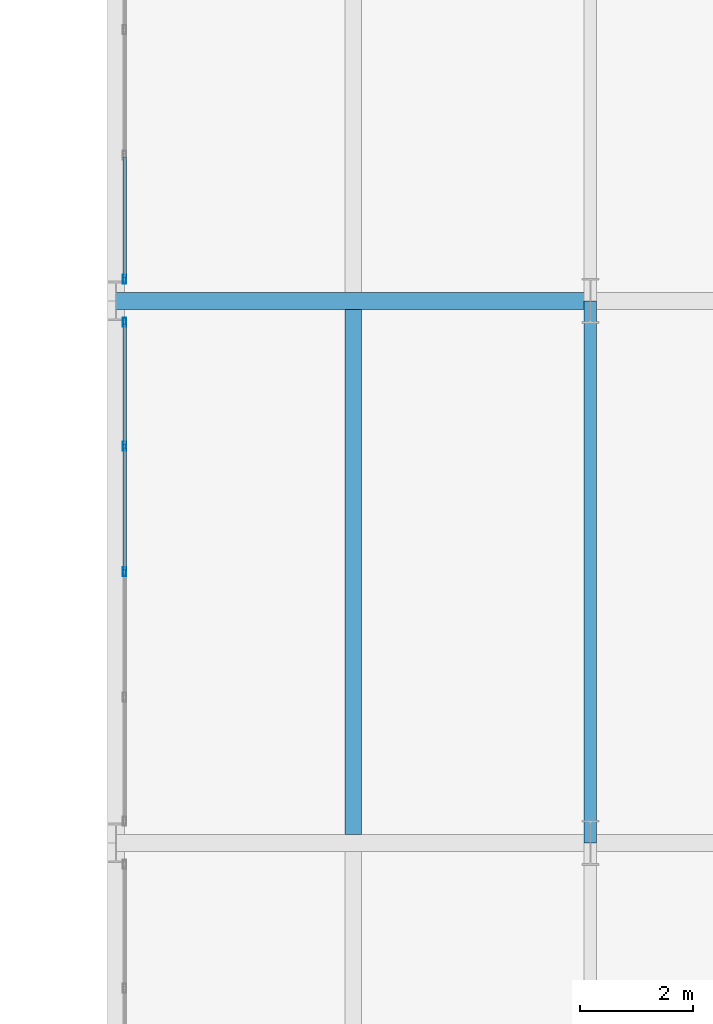
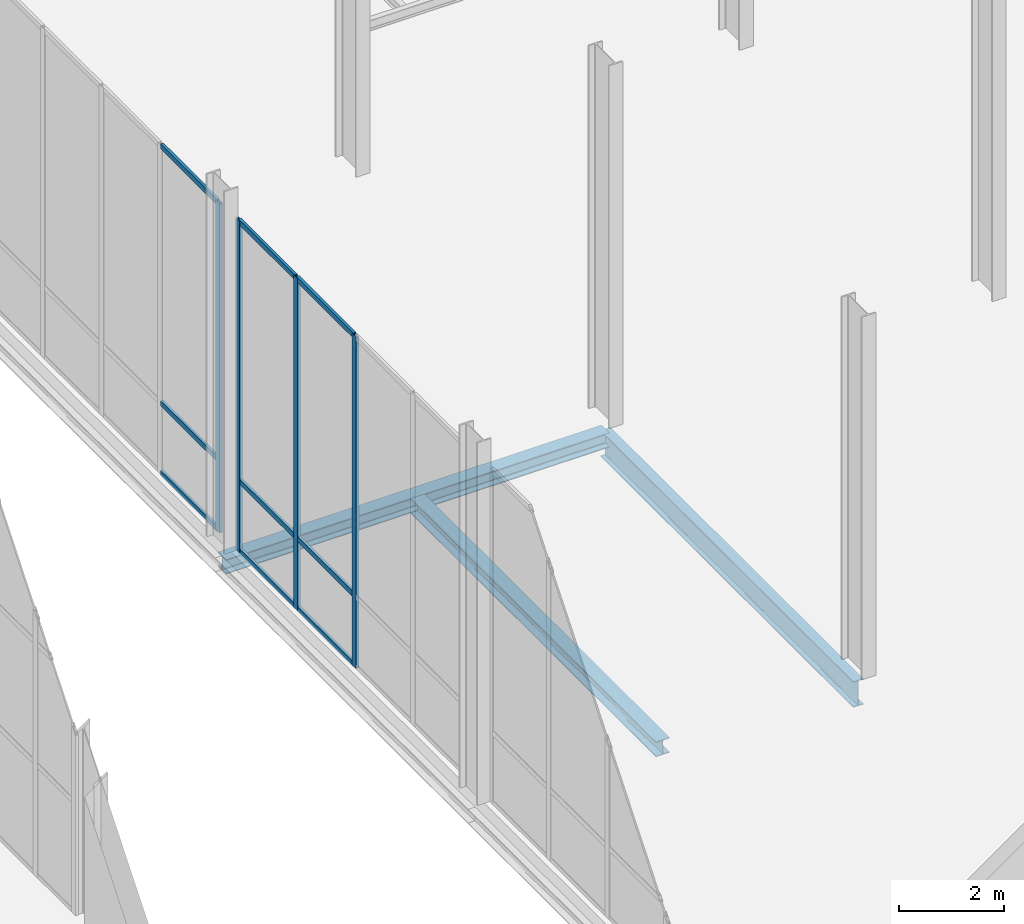
# One storey, part 60 of 131: 13 members, 3 beams, 2 elements without a shape of their own.
"""IFC4 building model written with IfcOpenShell, lengths in metres."""

from ifc_helpers import new_model, si_unit, direction, frame, origin, origin_2d, place, context, subcontext, project, spatial, hollow_rectangle, i_section, extrude, material, material_profile, profile_set, type_object, element, aggregate, save


model = new_model("IFC4")

# Units and contexts
model_context = context("Model", 3, precision=1e-05, world=origin(), true_north=direction((0.0, 1.0)))
body_context = subcontext(model_context, "Body", "Model", "MODEL_VIEW")
ifc_project = project(units=[si_unit("LENGTHUNIT", "METRE"), si_unit("AREAUNIT", "SQUARE_METRE"), si_unit("VOLUMEUNIT", "CUBIC_METRE"), si_unit("PLANEANGLEUNIT", "RADIAN"), si_unit("MASSUNIT", "GRAM", prefix="KILO")], contexts=[model_context])

# Site, building, storey
site_placement = place(None, origin())
site = spatial("IfcSite", under=ifc_project, at=site_placement, CompositionType="ELEMENT")
building_placement = place(site_placement, origin())
building = spatial("IfcBuilding", under=site, at=building_placement, Name="Veltarok Museum of Natural Sciences", CompositionType="ELEMENT")
storey_placement = place(building_placement, origin())
storey = spatial("IfcBuildingStorey", under=building, at=storey_placement, Name="L00", CompositionType="ELEMENT", Elevation=0.0)

# Curtain wall, members
ifc_material_1 = material(Name="Low-iron triple insulated glass", Category="glass")
curtain_wall_type_1 = type_object("IfcCurtainWallType", Name="Curtain Wall System CW-V2NPW-L00-2-890x768 (CW-V2NPW L00 890x768cm)", PredefinedType="NOTDEFINED", material=ifc_material_1)
curtain_wall_1_placement = place(storey_placement, origin())
curtain_wall_1 = element("IfcCurtainWall", 1, at=curtain_wall_1_placement, inside=storey, type_object=curtain_wall_type_1, Name="Curtain Wall CW-V2NPW-L00-2-890x768 CW-0214", PredefinedType="NOTDEFINED")
ifc_material_2 = material(Name="Thermally broken anodised aluminium", Category="aluminium")
ifc_material_profile_1 = material_profile(ifc_material_2, hollow_rectangle(XDim=0.06005859375, YDim=0.1201171875, WallThickness=0.0048828125, at=origin_2d()), Name="CW TRANSOM 60x120x5")
ifc_profile_set_1 = profile_set([ifc_material_profile_1], Name="Thermally broken anodised aluminium")
member_type_1 = type_object("IfcMemberType", Name="Curtain Wall Horizontal Transom 60x120x5", PredefinedType="USERDEFINED", material=ifc_profile_set_1)
member_1_placement = place(storey_placement, frame((56.949951171875, 86.429931640625, 0.028076171875), z_axis=(0.0, 1.0, 0.0), x_axis=(-1.0, 0.0, 0.0)))
member_1 = element("IfcMember", 2, at=member_1_placement, type_object=member_type_1, Name="CW-V2NPW-L00-2-890x768 transom 3.1", ObjectType="TRANSOM", PredefinedType="USERDEFINED", context=body_context, shape_type="SweptSolid", body=[
    extrude(hollow_rectangle(XDim=0.06005859375, YDim=0.1201171875, WallThickness=0.0048828125, at=origin_2d()), origin(), (0.0, 0.0, 1.0), 2.1650390625),
])
member_2_placement = place(storey_placement, frame((56.949951171875, 86.429931640625, 1.64794921875), z_axis=(0.0, 1.0, 0.0), x_axis=(-1.0, 0.0, 0.0)))
member_2 = element("IfcMember", 3, at=member_2_placement, type_object=member_type_1, Name="CW-V2NPW-L00-2-890x768 transom 3.2", ObjectType="TRANSOM", PredefinedType="USERDEFINED", context=body_context, shape_type="SweptSolid", body=[
    extrude(hollow_rectangle(XDim=0.06005859375, YDim=0.1201171875, WallThickness=0.0048828125, at=origin_2d()), origin(), (0.0, 0.0, 1.0), 2.1650390625),
])
member_3_placement = place(storey_placement, frame((56.949951171875, 86.429931640625, 7.64990234375), z_axis=(0.0, 1.0, 0.0), x_axis=(-1.0, 0.0, 0.0)))
member_3 = element("IfcMember", 4, at=member_3_placement, type_object=member_type_1, Name="CW-V2NPW-L00-2-890x768 transom 3.3", ObjectType="TRANSOM", PredefinedType="USERDEFINED", context=body_context, shape_type="SweptSolid", body=[
    extrude(hollow_rectangle(XDim=0.06005859375, YDim=0.1201171875, WallThickness=0.0048828125, at=origin_2d()), origin(), (0.0, 0.0, 1.0), 2.1650390625),
])
member_4_placement = place(storey_placement, frame((56.949951171875, 88.655029296875, 0.028076171875), z_axis=(0.0, 1.0, 0.0), x_axis=(-1.0, 0.0, 0.0)))
member_4 = element("IfcMember", 5, at=member_4_placement, type_object=member_type_1, Name="CW-V2NPW-L00-2-890x768 transom 4.1", ObjectType="TRANSOM", PredefinedType="USERDEFINED", context=body_context, shape_type="SweptSolid", body=[
    extrude(hollow_rectangle(XDim=0.06005859375, YDim=0.1201171875, WallThickness=0.0048828125, at=origin_2d()), origin(), (0.0, 0.0, 1.0), 2.135009765625),
])
member_5_placement = place(storey_placement, frame((56.949951171875, 88.655029296875, 1.64794921875), z_axis=(0.0, 1.0, 0.0), x_axis=(-1.0, 0.0, 0.0)))
member_5 = element("IfcMember", 6, at=member_5_placement, type_object=member_type_1, Name="CW-V2NPW-L00-2-890x768 transom 4.2", ObjectType="TRANSOM", PredefinedType="USERDEFINED", context=body_context, shape_type="SweptSolid", body=[
    extrude(hollow_rectangle(XDim=0.06005859375, YDim=0.1201171875, WallThickness=0.0048828125, at=origin_2d()), origin(), (0.0, 0.0, 1.0), 2.135009765625),
])
member_6_placement = place(storey_placement, frame((56.949951171875, 88.655029296875, 7.64990234375), z_axis=(0.0, 1.0, 0.0), x_axis=(-1.0, 0.0, 0.0)))
member_6 = element("IfcMember", 7, at=member_6_placement, type_object=member_type_1, Name="CW-V2NPW-L00-2-890x768 transom 4.3", ObjectType="TRANSOM", PredefinedType="USERDEFINED", context=body_context, shape_type="SweptSolid", body=[
    extrude(hollow_rectangle(XDim=0.06005859375, YDim=0.1201171875, WallThickness=0.0048828125, at=origin_2d()), origin(), (0.0, 0.0, 1.0), 2.135009765625),
])

curtain_wall_type_2 = type_object("IfcCurtainWallType", Name="Curtain Wall System CW-V2NPW-L00-3-890x763 (CW-V2NPW L00 890x763cm)", PredefinedType="NOTDEFINED", material=ifc_material_1)
curtain_wall_2_placement = place(storey_placement, origin())
curtain_wall_2 = element("IfcCurtainWall", 8, at=curtain_wall_2_placement, inside=storey, type_object=curtain_wall_type_2, Name="Curtain Wall CW-V2NPW-L00-3-890x763 CW-0215", PredefinedType="NOTDEFINED")
member_7_placement = place(storey_placement, frame((56.949951171875, 91.610107421875, 0.028076171875), z_axis=(0.0, 1.0, 0.0), x_axis=(-1.0, 0.0, 0.0)))
member_7 = element("IfcMember", 9, at=member_7_placement, type_object=member_type_1, Name="CW-V2NPW-L00-3-890x763 transom 1.1", ObjectType="TRANSOM", PredefinedType="USERDEFINED", context=body_context, shape_type="SweptSolid", body=[
    extrude(hollow_rectangle(XDim=0.06005859375, YDim=0.1201171875, WallThickness=0.0048828125, at=origin_2d()), origin(), (0.0, 0.0, 1.0), 2.135009765625),
])
member_8_placement = place(storey_placement, frame((56.949951171875, 91.610107421875, 1.64794921875), z_axis=(0.0, 1.0, 0.0), x_axis=(-1.0, 0.0, 0.0)))
member_8 = element("IfcMember", 10, at=member_8_placement, type_object=member_type_1, Name="CW-V2NPW-L00-3-890x763 transom 1.2", ObjectType="TRANSOM", PredefinedType="USERDEFINED", context=body_context, shape_type="SweptSolid", body=[
    extrude(hollow_rectangle(XDim=0.06005859375, YDim=0.1201171875, WallThickness=0.0048828125, at=origin_2d()), origin(), (0.0, 0.0, 1.0), 2.135009765625),
])
member_9_placement = place(storey_placement, frame((56.949951171875, 91.610107421875, 7.60009765625), z_axis=(0.0, 1.0, 0.0), x_axis=(-1.0, 0.0, 0.0)))
member_9 = element("IfcMember", 11, at=member_9_placement, type_object=member_type_1, Name="CW-V2NPW-L00-3-890x763 transom 1.3", ObjectType="TRANSOM", PredefinedType="USERDEFINED", context=body_context, shape_type="SweptSolid", body=[
    extrude(hollow_rectangle(XDim=0.06005859375, YDim=0.1201171875, WallThickness=0.0048828125, at=origin_2d()), origin(), (0.0, 0.0, 1.0), 2.135009765625),
])

# Member
ifc_material_profile_2 = material_profile(ifc_material_2, hollow_rectangle(XDim=0.06005859375, YDim=0.159912109375, WallThickness=0.0048828125, at=origin_2d()), Name="CW MULLION 60x160x5")
ifc_profile_set_2 = profile_set([ifc_material_profile_2], Name="Thermally broken anodised aluminium")
member_type_2 = type_object("IfcMemberType", Name="Curtain Wall Vertical Mullion 60x160x5", PredefinedType="MULLION", material=ifc_profile_set_2)
member_10_placement = place(storey_placement, frame((56.949951171875, 86.39990234375, -0.001953125), z_axis=(0.0, 0.0, 1.0), x_axis=(-1.0, 0.0, 0.0)))
member_10 = element("IfcMember", 12, at=member_10_placement, type_object=member_type_2, Name="CW-V2NPW-L00-2-890x768 mullion 3", PredefinedType="MULLION", context=body_context, shape_type="SweptSolid", body=[
    extrude(hollow_rectangle(XDim=0.06005859375, YDim=0.159912109375, WallThickness=0.0048828125, at=origin_2d()), origin(), (0.0, 0.0, 1.0), 7.681884765625),
])

member_11_placement = place(storey_placement, frame((56.949951171875, 88.625, -0.001953125), z_axis=(0.0, 0.0, 1.0), x_axis=(-1.0, 0.0, 0.0)))
member_11 = element("IfcMember", 13, at=member_11_placement, type_object=member_type_2, Name="CW-V2NPW-L00-2-890x768 mullion 4", PredefinedType="MULLION", context=body_context, shape_type="SweptSolid", body=[
    extrude(hollow_rectangle(XDim=0.06005859375, YDim=0.159912109375, WallThickness=0.0048828125, at=origin_2d()), origin(), (0.0, 0.0, 1.0), 7.681884765625),
])

member_12_placement = place(storey_placement, frame((56.949951171875, 90.820068359375, -0.001953125), z_axis=(0.0, 0.0, 1.0), x_axis=(-1.0, 0.0, 0.0)))
member_12 = element("IfcMember", 14, at=member_12_placement, type_object=member_type_2, Name="CW-V2NPW-L00-2-890x768 mullion 5", PredefinedType="MULLION", context=body_context, shape_type="SweptSolid", body=[
    extrude(hollow_rectangle(XDim=0.06005859375, YDim=0.159912109375, WallThickness=0.0048828125, at=origin_2d()), origin(), (0.0, 0.0, 1.0), 7.681884765625),
])

aggregate(curtain_wall_1, [member_10, member_11, member_12, member_1, member_2, member_3, member_4, member_5, member_6])

member_13_placement = place(storey_placement, frame((56.949951171875, 91.580078125, -0.001953125), z_axis=(0.0, 0.0, 1.0), x_axis=(-1.0, 0.0, 0.0)))
member_13 = element("IfcMember", 15, at=member_13_placement, type_object=member_type_2, Name="CW-V2NPW-L00-3-890x763 mullion 1", PredefinedType="MULLION", context=body_context, shape_type="SweptSolid", body=[
    extrude(hollow_rectangle(XDim=0.06005859375, YDim=0.159912109375, WallThickness=0.0048828125, at=origin_2d()), origin(), (0.0, 0.0, 1.0), 7.6318359375),
])

aggregate(curtain_wall_2, [member_13, member_7, member_8, member_9])

# Beams
ifc_material_3 = material(Name="Steel S355J2", Category="steel")
ifc_material_profile_3 = material_profile(ifc_material_3, i_section(OverallWidth=0.300048828125, OverallDepth=0.35009765625, WebThickness=0.010009765625, FlangeThickness=0.017578125, FilletRadius=0.027099609375, at=origin_2d()), Name="HEA 360")
ifc_profile_set_3 = profile_set([ifc_material_profile_3], Name="Steel S355J2")
beam_type_1 = type_object("IfcBeamType", Name="Long-Span Gallery Joist HEA 360", PredefinedType="JOIST", material=ifc_profile_set_3)
beam_1_placement = place(storey_placement, frame((61.0, 81.748046875, -0.47509765625), z_axis=(0.0, 1.0, 0.0), x_axis=(-1.0, 0.0, 0.0)))
element("IfcBeam", 16, at=beam_1_placement, inside=storey, type_object=beam_type_1, Name="Secondary Joist BM-J07 L00 7-8/J-K.1", PredefinedType="JOIST", context=body_context, shape_type="SweptSolid", body=[
    extrude(i_section(OverallWidth=0.300048828125, OverallDepth=0.35009765625, WebThickness=0.010009765625, FlangeThickness=0.017578125, FilletRadius=0.027099609375, at=origin_2d()), origin(), (0.0, 0.0, 1.0), 9.303955078125),
])
ifc_material_profile_4 = material_profile(ifc_material_3, i_section(OverallWidth=0.300048828125, OverallDepth=0.340087890625, WebThickness=0.011962890625, FlangeThickness=0.021484375, FilletRadius=0.027099609375, at=origin_2d()), Name="HEB 340")
ifc_profile_set_4 = profile_set([ifc_material_profile_4], Name="Steel S355J2")
beam_type_2 = type_object("IfcBeamType", Name="Perimeter Bridge Spandrel HEB 340", PredefinedType="SPANDREL", material=ifc_profile_set_4)
beam_2_placement = place(storey_placement, frame((56.800048828125, 91.199951171875, -0.469970703125), z_axis=(1.0, 0.0, 0.0), x_axis=(0.0, 1.0, 0.0)))
element("IfcBeam", 17, at=beam_2_placement, inside=storey, type_object=beam_type_2, Name="Beam BM-SP07 L00 7-8/K", PredefinedType="SPANDREL", context=body_context, shape_type="SweptSolid", body=[
    extrude(i_section(OverallWidth=0.300048828125, OverallDepth=0.340087890625, WebThickness=0.011962890625, FlangeThickness=0.021484375, FilletRadius=0.027099609375, at=origin_2d()), origin(), (0.0, 0.0, 1.0), 8.39990234375),
])
ifc_material_profile_5 = material_profile(ifc_material_3, i_section(OverallWidth=0.219970703125, OverallDepth=0.60009765625, WebThickness=0.011962890625, FlangeThickness=0.01904296875, FilletRadius=0.02392578125, at=origin_2d()), Name="IPE 600")
ifc_profile_set_5 = profile_set([ifc_material_profile_5], Name="Steel S355J2")
beam_type_3 = type_object("IfcBeamType", Name="Primary Museum Girder IPE 600", PredefinedType="BEAM", material=ifc_profile_set_5)
beam_3_placement = place(storey_placement, frame((65.199951171875, 81.60009765625, -0.60009765625), z_axis=(0.0, 1.0, 0.0), x_axis=(-1.0, 0.0, 0.0)))
element("IfcBeam", 18, at=beam_3_placement, inside=storey, type_object=beam_type_3, Name="Beam BM-G02 L00 8/J-K", PredefinedType="BEAM", context=body_context, shape_type="SweptSolid", body=[
    extrude(i_section(OverallWidth=0.219970703125, OverallDepth=0.60009765625, WebThickness=0.011962890625, FlangeThickness=0.01904296875, FilletRadius=0.02392578125, at=origin_2d()), origin(), (0.0, 0.0, 1.0), 9.599853515625),
])

save(model, "model.ifc")
